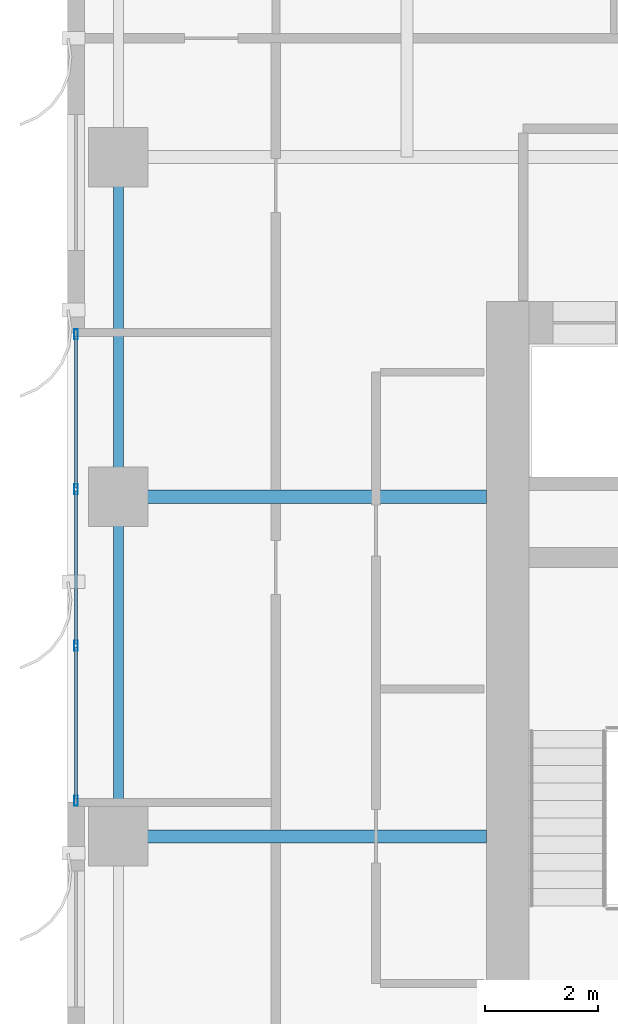
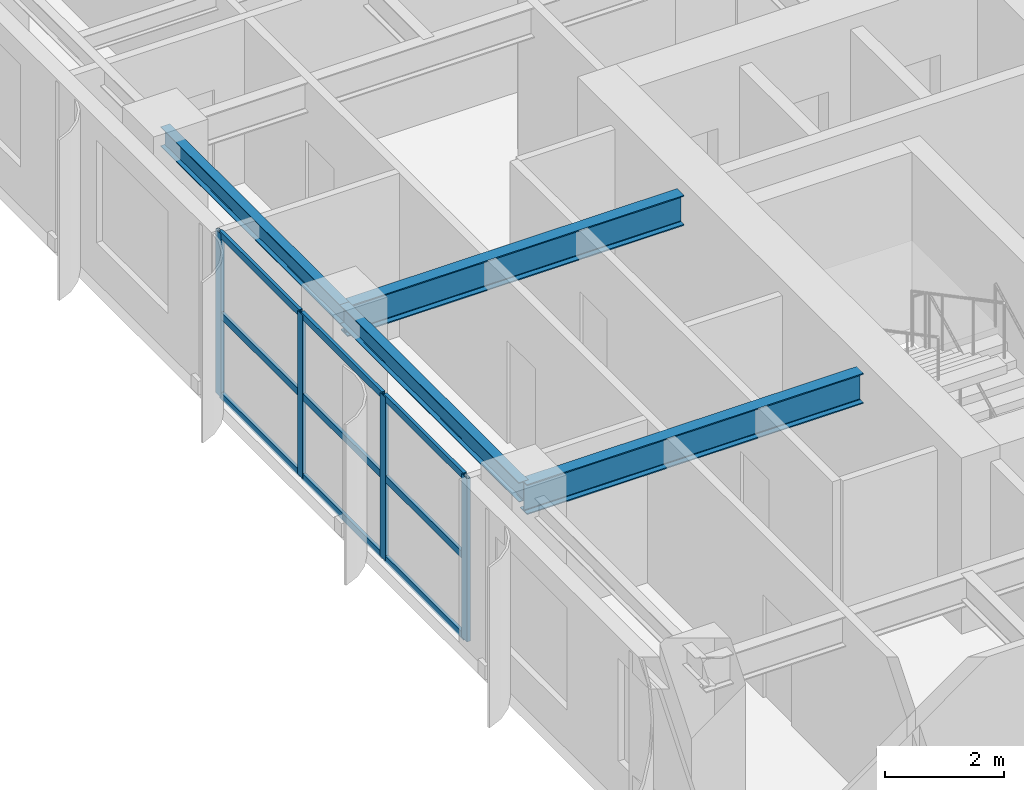
# One storey, part 7 of 26: 13 members, 4 beams, 1 element without a shape of its own.
"""IFC4 building model written with IfcOpenShell, lengths in metres."""

from ifc_helpers import new_model, si_unit, direction, frame, origin, origin_2d, place, context, subcontext, project, spatial, hollow_rectangle, i_section, extrude, source, transform, mapped, material, layer, layer_set, material_profile, profile_set, type_object, element, aggregate, save


model = new_model("IFC4")

# Units and contexts
model_context = context("Model", 3, precision=1e-05, world=origin(), true_north=direction((0.0, 1.0)))
body_context = subcontext(model_context, "Body", "Model", "MODEL_VIEW")
ifc_project = project(units=[si_unit("LENGTHUNIT", "METRE"), si_unit("AREAUNIT", "SQUARE_METRE"), si_unit("VOLUMEUNIT", "CUBIC_METRE"), si_unit("PLANEANGLEUNIT", "RADIAN"), si_unit("MASSUNIT", "GRAM", prefix="KILO")], contexts=[model_context])

# Site, building, storey
site_placement = place(None, origin())
site = spatial("IfcSite", under=ifc_project, at=site_placement, CompositionType="ELEMENT")
building_placement = place(site_placement, origin())
building = spatial("IfcBuilding", under=site, at=building_placement, Name="Khoralis Quay Care Tower", CompositionType="ELEMENT")
storey_placement = place(building_placement, frame((0.0, 0.0, 126.89990234375)))
storey = spatial("IfcBuildingStorey", under=building, at=storey_placement, Name="L33", CompositionType="ELEMENT", Elevation=126.89990234375)

# Beams
ifc_material_1 = material(Name="Steel S355", Category="steel")
ifc_material_profile_1 = material_profile(ifc_material_1, i_section(OverallWidth=0.179931640625, OverallDepth=0.39990234375, WebThickness=0.008544921875, FlangeThickness=0.013427734375, FilletRadius=0.02099609375, at=origin_2d()), Name="Steel S355")
ifc_profile_set_1 = profile_set([ifc_material_profile_1], Name="Steel S355")
beam_type_1 = type_object("IfcBeamType", Name="BM-IPE400", PredefinedType="SPANDREL", material=ifc_profile_set_1)
shared_shape_1 = source(origin(), body_context, "Body", "SweptSolid", [
    extrude(i_section(OverallWidth=0.179931640625, OverallDepth=0.39990234375, WebThickness=0.008544921875, FlangeThickness=0.013427734375, FilletRadius=0.02099609375, at=origin_2d()), origin(), (0.0, 0.0, 1.0), 6.0),
])
for number, where, z_axis, x_axis, name in (
    (1, (0.89990234375, 18.0, 3.14013671875), (0.0, 1.0, 0.0), (-1.0, 0.0, 0.0), "BM-TSP-L33-13"),
    (2, (0.89990234375, 24.0, 3.14013671875), (0.0, 1.0, 0.0), (-1.0, 0.0, 0.0), "BM-TSP-L33-14"),
):
    element("IfcBeam", number, at=place(storey_placement, frame(where, z_axis=z_axis, x_axis=x_axis)), inside=storey, type_object=beam_type_1, Name=name, PredefinedType="SPANDREL", context=body_context, shape_type="MappedRepresentation", body=[
        mapped(shared_shape_1, transform((0.0, 0.0, 0.0), scale=1.0)),
    ])
ifc_material_profile_2 = material_profile(ifc_material_1, i_section(OverallWidth=0.22998046875, OverallDepth=0.616943359375, WebThickness=0.01318359375, FlangeThickness=0.022216796875, FilletRadius=0.01806640625, at=origin_2d()), Name="Steel S355")
ifc_profile_set_2 = profile_set([ifc_material_profile_2], Name="Steel S355")
beam_type_2 = type_object("IfcBeamType", Name="BM-W610X140", PredefinedType="BEAM", material=ifc_profile_set_2)
shared_shape_2 = source(origin(), body_context, "Body", "SweptSolid", [
    extrude(i_section(OverallWidth=0.22998046875, OverallDepth=0.616943359375, WebThickness=0.01318359375, FlangeThickness=0.022216796875, FilletRadius=0.01806640625, at=origin_2d()), origin(), (0.0, 0.0, 1.0), 6.502197265625),
])
for number, where, z_axis, x_axis, name in (
    (3, (0.89990234375, 18.0, 3.031494140625), (1.0, 0.0, 0.0), (0.0, 1.0, 0.0), "BM-TGXW-L33-180"),
    (4, (0.89990234375, 24.0, 3.031494140625), (1.0, 0.0, 0.0), (0.0, 1.0, 0.0), "BM-TGXW-L33-240"),
):
    element("IfcBeam", number, at=place(storey_placement, frame(where, z_axis=z_axis, x_axis=x_axis)), inside=storey, type_object=beam_type_2, Name=name, PredefinedType="BEAM", context=body_context, shape_type="MappedRepresentation", body=[
        mapped(shared_shape_2, transform((0.0, 0.0, 0.0), scale=1.0)),
    ])

# Curtain wall, members
ifc_material_2 = material(Name="Pale anodised aluminium", Category="aluminium")
ifc_layer = layer(ifc_material_2, 0.169921875)
ifc_layer_set = layer_set([ifc_layer], Name="Pale anodised aluminium")
curtain_wall_type = type_object("IfcCurtainWallType", Name="CW-SYS-Z2", PredefinedType="NOTDEFINED", material=ifc_layer_set)
curtain_wall_placement = place(storey_placement, origin())
curtain_wall = element("IfcCurtainWall", 5, at=curtain_wall_placement, inside=storey, type_object=curtain_wall_type, Name="L33 Unitised Curtain Wall CW-L33-P1-E15", PredefinedType="NOTDEFINED")
ifc_material_profile_3 = material_profile(ifc_material_2, hollow_rectangle(XDim=0.06494140625, YDim=0.179931640625, WallThickness=0.00390625, at=origin_2d()), Name="Pale anodised aluminium")
ifc_profile_set_3 = profile_set([ifc_material_profile_3], Name="Pale anodised aluminium")
member_type_1 = type_object("IfcMemberType", Name="CW-MUL-180", PredefinedType="MULLION", material=ifc_profile_set_3)
shared_shape_3 = source(origin(), body_context, "Body", "SweptSolid", [
    extrude(hollow_rectangle(XDim=0.06494140625, YDim=0.179931640625, WallThickness=0.00390625, at=origin_2d()), origin(), (0.0, 0.0, 1.0), 3.340087890625),
])
member_1_placement = place(storey_placement, frame((0.14990234375, 26.8701171875, 0.0), z_axis=(0.0, 0.0, 1.0), x_axis=(1.0, 0.0, 0.0)))
member_1 = element("IfcMember", 6, at=member_1_placement, type_object=member_type_1, Name="CW2 mullion 1", PredefinedType="MULLION", context=body_context, shape_type="MappedRepresentation", body=[
    mapped(shared_shape_3, transform((0.0, 0.0, 0.0), scale=1.0)),
])
member_2_placement = place(storey_placement, frame((0.14990234375, 24.13330078125, 0.0), z_axis=(0.0, 0.0, 1.0), x_axis=(1.0, 0.0, 0.0)))
member_2 = element("IfcMember", 7, at=member_2_placement, type_object=member_type_1, Name="CW2 mullion 2", PredefinedType="MULLION", context=body_context, shape_type="MappedRepresentation", body=[
    mapped(shared_shape_3, transform((0.0, 0.0, 0.0), scale=1.0)),
])
member_3_placement = place(storey_placement, frame((0.14990234375, 21.36669921875, 0.0), z_axis=(0.0, 0.0, 1.0), x_axis=(1.0, 0.0, 0.0)))
member_3 = element("IfcMember", 8, at=member_3_placement, type_object=member_type_1, Name="CW2 mullion 3", PredefinedType="MULLION", context=body_context, shape_type="MappedRepresentation", body=[
    mapped(shared_shape_3, transform((0.0, 0.0, 0.0), scale=1.0)),
])
member_4_placement = place(storey_placement, frame((0.14990234375, 18.6298828125, 0.0), z_axis=(0.0, 0.0, 1.0), x_axis=(1.0, 0.0, 0.0)))
member_4 = element("IfcMember", 9, at=member_4_placement, type_object=member_type_1, Name="CW2 mullion 4", PredefinedType="MULLION", context=body_context, shape_type="MappedRepresentation", body=[
    mapped(shared_shape_3, transform((0.0, 0.0, 0.0), scale=1.0)),
])
ifc_material_profile_4 = material_profile(ifc_material_2, hollow_rectangle(XDim=0.06005859375, YDim=0.139892578125, WallThickness=0.00390625, at=origin_2d()), Name="Pale anodised aluminium")
ifc_profile_set_4 = profile_set([ifc_material_profile_4], Name="Pale anodised aluminium")
member_type_2 = type_object("IfcMemberType", Name="CW-TRN-140", PredefinedType="USERDEFINED", material=ifc_profile_set_4)
shared_shape_4 = source(origin(), body_context, "Body", "SweptSolid", [
    extrude(hollow_rectangle(XDim=0.06005859375, YDim=0.139892578125, WallThickness=0.00390625, at=origin_2d()), origin(), (0.0, 0.0, 1.0), 2.6767578125),
])
member_5_placement = place(storey_placement, frame((0.14990234375, 26.840087890625, 0.030029296875), z_axis=(0.0, -1.0, 0.0), x_axis=(1.0, 0.0, 0.0)))
member_5 = element("IfcMember", 10, at=member_5_placement, type_object=member_type_2, Name="CW2 transom 1.1", ObjectType="TRANSOM", PredefinedType="USERDEFINED", context=body_context, shape_type="MappedRepresentation", body=[
    mapped(shared_shape_4, transform((0.0, 0.0, 0.0), scale=1.0)),
])
member_6_placement = place(storey_placement, frame((0.14990234375, 26.840087890625, 1.670166015625), z_axis=(0.0, -1.0, 0.0), x_axis=(1.0, 0.0, 0.0)))
member_6 = element("IfcMember", 11, at=member_6_placement, type_object=member_type_2, Name="CW2 transom 1.2", ObjectType="TRANSOM", PredefinedType="USERDEFINED", context=body_context, shape_type="MappedRepresentation", body=[
    mapped(shared_shape_4, transform((0.0, 0.0, 0.0), scale=1.0)),
])
member_7_placement = place(storey_placement, frame((0.14990234375, 26.840087890625, 3.31005859375), z_axis=(0.0, -1.0, 0.0), x_axis=(1.0, 0.0, 0.0)))
member_7 = element("IfcMember", 12, at=member_7_placement, type_object=member_type_2, Name="CW2 transom 1.3", ObjectType="TRANSOM", PredefinedType="USERDEFINED", context=body_context, shape_type="MappedRepresentation", body=[
    mapped(shared_shape_4, transform((0.0, 0.0, 0.0), scale=1.0)),
])
member_8_placement = place(storey_placement, frame((0.14990234375, 21.336669921875, 0.030029296875), z_axis=(0.0, -1.0, 0.0), x_axis=(1.0, 0.0, 0.0)))
member_8 = element("IfcMember", 13, at=member_8_placement, type_object=member_type_2, Name="CW2 transom 3.1", ObjectType="TRANSOM", PredefinedType="USERDEFINED", context=body_context, shape_type="MappedRepresentation", body=[
    mapped(shared_shape_4, transform((0.0, 0.0, 0.0), scale=1.0)),
])
member_9_placement = place(storey_placement, frame((0.14990234375, 21.336669921875, 1.670166015625), z_axis=(0.0, -1.0, 0.0), x_axis=(1.0, 0.0, 0.0)))
member_9 = element("IfcMember", 14, at=member_9_placement, type_object=member_type_2, Name="CW2 transom 3.2", ObjectType="TRANSOM", PredefinedType="USERDEFINED", context=body_context, shape_type="MappedRepresentation", body=[
    mapped(shared_shape_4, transform((0.0, 0.0, 0.0), scale=1.0)),
])
member_10_placement = place(storey_placement, frame((0.14990234375, 21.336669921875, 3.31005859375), z_axis=(0.0, -1.0, 0.0), x_axis=(1.0, 0.0, 0.0)))
member_10 = element("IfcMember", 15, at=member_10_placement, type_object=member_type_2, Name="CW2 transom 3.3", ObjectType="TRANSOM", PredefinedType="USERDEFINED", context=body_context, shape_type="MappedRepresentation", body=[
    mapped(shared_shape_4, transform((0.0, 0.0, 0.0), scale=1.0)),
])
shared_shape_5 = source(origin(), body_context, "Body", "SweptSolid", [
    extrude(hollow_rectangle(XDim=0.06005859375, YDim=0.139892578125, WallThickness=0.00390625, at=origin_2d()), origin(), (0.0, 0.0, 1.0), 2.70654296875),
])
member_11_placement = place(storey_placement, frame((0.14990234375, 24.103271484375, 0.030029296875), z_axis=(0.0, -1.0, 0.0), x_axis=(1.0, 0.0, 0.0)))
member_11 = element("IfcMember", 16, at=member_11_placement, type_object=member_type_2, Name="CW2 transom 2.1", ObjectType="TRANSOM", PredefinedType="USERDEFINED", context=body_context, shape_type="MappedRepresentation", body=[
    mapped(shared_shape_5, transform((0.0, 0.0, 0.0), scale=1.0)),
])
member_12_placement = place(storey_placement, frame((0.14990234375, 24.103271484375, 1.670166015625), z_axis=(0.0, -1.0, 0.0), x_axis=(1.0, 0.0, 0.0)))
member_12 = element("IfcMember", 17, at=member_12_placement, type_object=member_type_2, Name="CW2 transom 2.2", ObjectType="TRANSOM", PredefinedType="USERDEFINED", context=body_context, shape_type="MappedRepresentation", body=[
    mapped(shared_shape_5, transform((0.0, 0.0, 0.0), scale=1.0)),
])
member_13_placement = place(storey_placement, frame((0.14990234375, 24.103271484375, 3.31005859375), z_axis=(0.0, -1.0, 0.0), x_axis=(1.0, 0.0, 0.0)))
member_13 = element("IfcMember", 18, at=member_13_placement, type_object=member_type_2, Name="CW2 transom 2.3", ObjectType="TRANSOM", PredefinedType="USERDEFINED", context=body_context, shape_type="MappedRepresentation", body=[
    mapped(shared_shape_5, transform((0.0, 0.0, 0.0), scale=1.0)),
])
aggregate(curtain_wall, [member_1, member_2, member_3, member_4, member_5, member_6, member_7, member_11, member_12, member_13, member_8, member_9, member_10])

save(model, "model.ifc")
